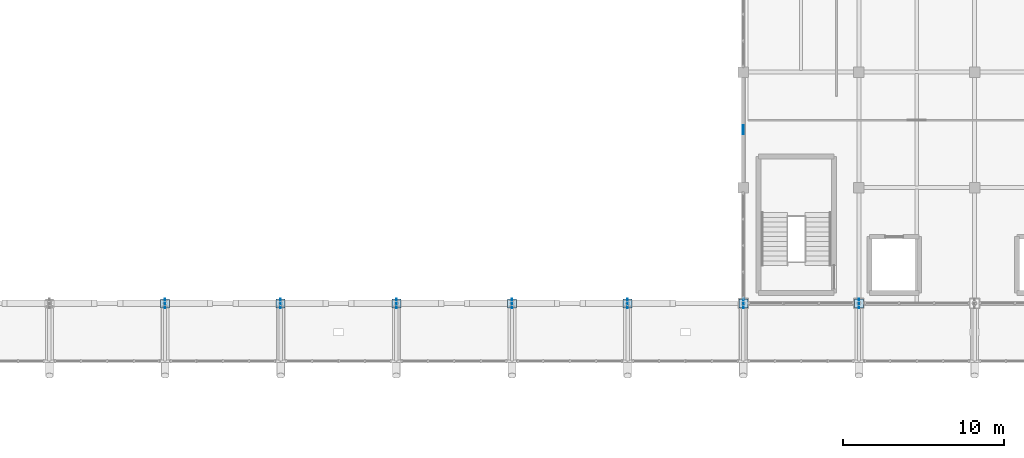
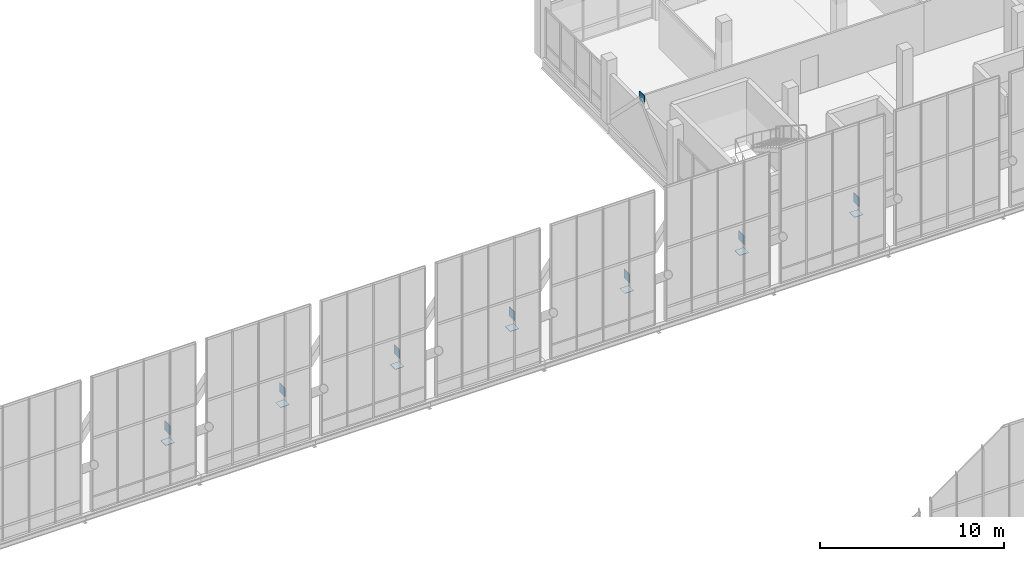
# One storey, part 88 of 102: 15 plates.
"""IFC4 building model written with IfcOpenShell, lengths in metres."""

import ifcopenshell
import ifcopenshell.guid

model = None  # the IFC model being written
_history = None  # IfcOwnerHistory: only IFC2X3 demands one
_inside = {}  # id of a spatial element -> (the spatial element, [elements in it])
_under = {}  # id of a project, library or spatial element -> (it, [spatial elements below it])
_declared = {}  # id of a project -> (the project, [libraries it declares])
_typed = {}  # id of a type object -> (the type object, [elements of that type])
_made_of = {}  # id of a material, layer set ... -> (it, [elements and type objects made of it])


def new_model(schema):
    """Start an empty IFC model of exactly this schema.

    Asked for "IFC4X3", IfcOpenShell would pick the latest addendum, in which some entities
    have other attributes; the version numbers below select the first issue.
    IFC2X3 requires an IfcOwnerHistory on every rooted entity: one is made here for all.
    """
    global model, _history
    if schema == "IFC4X3":
        model = ifcopenshell.file(schema_version=(4, 3, 0, 0))
    else:
        model = ifcopenshell.file(schema=schema)
    _inside.clear()
    _under.clear()
    _declared.clear()
    _typed.clear()
    _made_of.clear()
    _history = None
    if model.schema == "IFC2X3":
        org = make("IfcOrganization", Name="unknown")
        user = make(
            "IfcPersonAndOrganization",
            ThePerson=make("IfcPerson", FamilyName="unknown"),
            TheOrganization=org,
        )
        app = make(
            "IfcApplication",
            ApplicationDeveloper=org,
            Version="unknown",
            ApplicationFullName="unknown",
            ApplicationIdentifier="unknown",
        )
        _history = make(
            "IfcOwnerHistory",
            OwningUser=user,
            OwningApplication=app,
            ChangeAction="ADDED",
            CreationDate=0,
        )
    return model


def make(cls, **values):
    """One entity of the class cls with the attributes given. An attribute that is None is left unset."""
    return model.create_entity(
        cls, **{name: value for name, value in values.items() if value is not None}
    )


def rooted(cls, **values):
    """An entity with a GlobalId (a new one), such as an element, a storey or a relation."""
    return make(cls, GlobalId=ifcopenshell.guid.new(), OwnerHistory=_history, **values)


def si_unit(unit_type, name, prefix=None):
    """IfcSIUnit, for example si_unit("LENGTHUNIT", "METRE", prefix="MILLI")."""
    return make("IfcSIUnit", UnitType=unit_type, Prefix=prefix, Name=name)


def assignment(units):
    """IfcUnitAssignment: the units of a project."""
    return None if units is None else make("IfcUnitAssignment", Units=units)


def point(xyz):
    """IfcCartesianPoint."""
    return None if xyz is None else make("IfcCartesianPoint", Coordinates=xyz)


def direction(xyz):
    """IfcDirection."""
    return None if xyz is None else make("IfcDirection", DirectionRatios=xyz)


def frame(location, z_axis=None, x_axis=None):
    """IfcAxis2Placement3D, a coordinate frame: its origin and axes. An axis left out is left unset."""
    return make(
        "IfcAxis2Placement3D",
        Location=point(location),
        Axis=direction(z_axis),
        RefDirection=direction(x_axis),
    )


def frame_2d(location, x_axis=None):
    """IfcAxis2Placement2D, a coordinate frame in the plane: its origin and x axis."""
    return make(
        "IfcAxis2Placement2D", Location=point(location), RefDirection=direction(x_axis)
    )


def origin():
    """The frame at (0, 0, 0) with its axes left unset."""
    return frame((0.0, 0.0, 0.0))


def origin_2d():
    """The frame at (0, 0) in the plane with its x axis left unset."""
    return frame_2d((0.0, 0.0))


def place(relative_to, where):
    """IfcLocalPlacement: puts the frame where relative to a parent placement (None: the world)."""
    return make(
        "IfcLocalPlacement", PlacementRelTo=relative_to, RelativePlacement=where
    )


def context(
    kind, dimensions, precision=None, world=None, true_north=None, identifier=None
):
    """IfcGeometricRepresentationContext, for example the 3D "Model" context."""
    return make(
        "IfcGeometricRepresentationContext",
        ContextIdentifier=identifier,
        ContextType=kind,
        CoordinateSpaceDimension=dimensions,
        Precision=precision,
        WorldCoordinateSystem=world,
        TrueNorth=true_north,
    )


def subcontext(parent, identifier, kind, view, scale=None):
    """IfcGeometricRepresentationSubContext, for example "Body" below "Model"."""
    return make(
        "IfcGeometricRepresentationSubContext",
        ContextIdentifier=identifier,
        ContextType=kind,
        ParentContext=parent,
        TargetScale=scale,
        TargetView=view,
    )


def project(units=None, contexts=None):
    """IfcProject with its units and contexts."""
    return rooted(
        "IfcProject",
        Name="project",
        RepresentationContexts=contexts,
        UnitsInContext=assignment(units),
    )


def spatial(cls, under=None, at=None, **own):
    """A site, building, storey or space (cls), placed at a placement, below another one or the project."""
    s = rooted(cls, ObjectPlacement=at, **own)
    if under is not None:
        _under.setdefault(under.id(), (under, []))[1].append(s)
    return s


def profile(cls, at=None, kind="AREA", **sizes):
    """A parametric profile (cls). Its sizes go by their IFC names, for example OverallWidth=200.0."""
    return make(cls, ProfileType=kind, Position=at, **sizes)


def rectangle(**sizes):
    """IfcRectangleProfileDef."""
    return profile("IfcRectangleProfileDef", **sizes)


def extrude(swept, where, along, depth):
    """IfcExtrudedAreaSolid: the profile swept, set in the frame where, extruded along a direction by depth."""
    return make(
        "IfcExtrudedAreaSolid",
        SweptArea=swept,
        Position=where,
        ExtrudedDirection=direction(along),
        Depth=depth,
    )


def shape(context_of_items, identifier, shape_type, items):
    """IfcShapeRepresentation: the items that make up one representation, for example the "Body"."""
    return make(
        "IfcShapeRepresentation",
        ContextOfItems=context_of_items,
        RepresentationIdentifier=identifier,
        RepresentationType=shape_type,
        Items=items,
    )


def material(Name=None, Category=None):
    """IfcMaterial."""
    return make("IfcMaterial", Name=Name, Category=Category)


def layer(
    of_material, thickness, ventilated=None, Name=None, Category=None, Priority=None
):
    """IfcMaterialLayer: one layer of a wall or slab, of a material (None: an air gap)."""
    return make(
        "IfcMaterialLayer",
        Material=of_material,
        LayerThickness=thickness,
        IsVentilated=ventilated,
        Name=Name,
        Category=Category,
        Priority=Priority,
    )


def layer_set(layers, Name=None):
    """IfcMaterialLayerSet."""
    return make("IfcMaterialLayerSet", MaterialLayers=layers, LayerSetName=Name)


def made_of(thing, what):
    """Note that an element or type object is made of a material, layer set ...; save() writes the relation."""
    if what is not None:
        _made_of.setdefault(what.id(), (what, []))[1].append(thing)
    return thing


def type_object(cls, material=None, **own):
    """A type object (cls), such as IfcWallType, which elements share."""
    return made_of(rooted(cls, **own), material)


def element(
    cls,
    number,
    at=None,
    inside=None,
    cuts=None,
    type_object=None,
    material=None,
    context=None,
    identifier="Body",
    shape_type=None,
    held_by="IfcProductDefinitionShape",
    body=None,
    shapes=None,
    **own,
):
    """One element of the class cls, such as IfcWall. Its Tag is "e" and its number.

    at: its placement. inside: the storey or other place that contains it. cuts: it is an
    opening in that element (IfcRelVoidsElement). A single representation is given by context,
    identifier, shape_type and body (its items); several are given by shapes. held_by: the class
    of the entity that holds the representations. save() writes the other relations.
    """
    e = rooted(cls, Tag="e%d" % number, ObjectPlacement=at, **own)
    if body is not None:
        shapes = [shape(context, identifier, shape_type, body)]
    if shapes is not None:
        e.Representation = make(held_by, Representations=shapes)
    if inside is not None:
        _inside.setdefault(inside.id(), (inside, []))[1].append(e)
    if cuts is not None:
        rooted(
            "IfcRelVoidsElement", RelatingBuildingElement=cuts, RelatedOpeningElement=e
        )
    if type_object is not None:
        _typed.setdefault(type_object.id(), (type_object, []))[1].append(e)
    return made_of(e, material)


def aggregate(whole, parts):
    """IfcRelAggregates: a whole, such as a stair, and the parts it consists of."""
    return rooted("IfcRelAggregates", RelatingObject=whole, RelatedObjects=parts)


def save(model, path):
    """Write the relations noted so far, then the file.

    IfcRelAggregates (storeys below a building ...), IfcRelContainedInSpatialStructure (elements
    in a storey), IfcRelDefinesByType, IfcRelAssociatesMaterial and IfcRelDeclares: one each for
    every whole, place, type object, material and project.
    """
    for whole, parts in _under.values():
        aggregate(whole, parts)
    for where, things in _inside.values():
        rooted(
            "IfcRelContainedInSpatialStructure",
            RelatedElements=things,
            RelatingStructure=where,
        )
    for kind, things in _typed.values():
        rooted("IfcRelDefinesByType", RelatedObjects=things, RelatingType=kind)
    for what, things in _made_of.values():
        rooted("IfcRelAssociatesMaterial", RelatedObjects=things, RelatingMaterial=what)
    for by, libraries in _declared.values():
        rooted("IfcRelDeclares", RelatingContext=by, RelatedDefinitions=libraries)
    model.write(path)


model = new_model("IFC4")

# Units and contexts
model_context = context("Model", 3, precision=1e-05, world=origin(), true_north=direction((0.0, 1.0)))
body_context = subcontext(model_context, "Body", "Model", "MODEL_VIEW")
ifc_project = project(units=[si_unit("LENGTHUNIT", "METRE"), si_unit("AREAUNIT", "SQUARE_METRE"), si_unit("VOLUMEUNIT", "CUBIC_METRE"), si_unit("PLANEANGLEUNIT", "RADIAN"), si_unit("MASSUNIT", "GRAM", prefix="KILO")], contexts=[model_context])

# Site, building, storey
site_placement = place(None, origin())
site = spatial("IfcSite", under=ifc_project, at=site_placement, CompositionType="ELEMENT")
building_placement = place(site_placement, origin())
building = spatial("IfcBuilding", under=site, at=building_placement, Name="Yarey Park Central Fire Station", CompositionType="ELEMENT")
storey_placement = place(building_placement, frame((0.0, 0.0, 6.0)))
storey = spatial("IfcBuildingStorey", under=building, at=storey_placement, Name="L02", CompositionType="ELEMENT", Elevation=6.0)

# Plates
ifc_material = material(Name="Steel ASTM A572 Gr. 50", Category="steel")
ifc_layer_1 = layer(ifc_material, 0.02001953125)
ifc_layer_set_1 = layer_set([ifc_layer_1], Name="Steel ASTM A572 Gr. 50")
plate_type_1 = type_object("IfcPlateType", Name="STR_PLT_CAP1", PredefinedType="USERDEFINED", material=ifc_layer_set_1)
for number, where, z_axis, x_axis, name in (
    (1, (79.199951171875, 93.60009765625, -0.010009765625), (0.0, 0.0, 1.0), (1.0, 0.0, 0.0), "CAP_PLT_ART_062"),
    (2, (86.39990234375, 93.60009765625, -0.010009765625), (0.0, 0.0, 1.0), (1.0, 0.0, 0.0), "CAP_PLT_ART_067"),
    (3, (93.60009765625, 93.60009765625, -0.010009765625), (0.0, 0.0, 1.0), (1.0, 0.0, 0.0), "CAP_PLT_ART_072"),
    (4, (100.800048828125, 93.60009765625, -0.010009765625), (0.0, 0.0, 1.0), (1.0, 0.0, 0.0), "CAP_PLT_ART_077"),
    (5, (108.0, 93.60009765625, -0.010009765625), (0.0, 0.0, 1.0), (1.0, 0.0, 0.0), "CAP_PLT_ART_082"),
    (6, (115.199951171875, 93.60009765625, -0.010009765625), (0.0, 0.0, 1.0), (1.0, 0.0, 0.0), "CAP_PLT_ART_087"),
    (7, (122.39990234375, 93.60009765625, -0.010009765625), (0.0, 0.0, 1.0), (1.0, 0.0, 0.0), "CAP_PLT_ART_092"),
):
    element("IfcPlate", number, at=place(storey_placement, frame(where, z_axis=z_axis, x_axis=x_axis)), inside=storey, type_object=plate_type_1, Name=name, ObjectType="GUSSET_PLATE", PredefinedType="USERDEFINED", context=body_context, shape_type="SweptSolid", body=[
        extrude(rectangle(XDim=0.56005859375, YDim=0.56005859375, at=origin_2d()), origin(), (0.0, 0.0, 1.0), 0.02001953125),
    ])
ifc_layer_2 = layer(ifc_material, 0.030029296875)
ifc_layer_set_2 = layer_set([ifc_layer_2], Name="Steel ASTM A572 Gr. 50")
plate_type_2 = type_object("IfcPlateType", Name="STR_PLT_NODE1", PredefinedType="USERDEFINED", material=ifc_layer_set_2)
for number, where, z_axis, x_axis, name in (
    (8, (79.199951171875, 93.60009765625, 0.619873046875), (0.0, 0.0, 1.0), (1.0, 0.0, 0.0), "NODE_PLT_ART_061"),
    (9, (86.39990234375, 93.60009765625, 0.619873046875), (0.0, 0.0, 1.0), (1.0, 0.0, 0.0), "NODE_PLT_ART_066"),
    (10, (93.60009765625, 93.60009765625, 0.619873046875), (0.0, 0.0, 1.0), (1.0, 0.0, 0.0), "NODE_PLT_ART_071"),
    (11, (100.800048828125, 93.60009765625, 0.619873046875), (0.0, 0.0, 1.0), (1.0, 0.0, 0.0), "NODE_PLT_ART_076"),
    (12, (108.0, 93.60009765625, 0.619873046875), (0.0, 0.0, 1.0), (1.0, 0.0, 0.0), "NODE_PLT_ART_081"),
    (13, (115.199951171875, 93.60009765625, 0.619873046875), (0.0, 0.0, 1.0), (1.0, 0.0, 0.0), "NODE_PLT_ART_086"),
    (14, (122.39990234375, 93.60009765625, 0.619873046875), (0.0, 0.0, 1.0), (1.0, 0.0, 0.0), "NODE_PLT_ART_091"),
):
    element("IfcPlate", number, at=place(storey_placement, frame(where, z_axis=z_axis, x_axis=x_axis)), inside=storey, type_object=plate_type_2, Name=name, ObjectType="GUSSET_PLATE", PredefinedType="USERDEFINED", context=body_context, shape_type="SweptSolid", body=[
        extrude(rectangle(XDim=0.030029296875, YDim=0.60009765625, at=origin_2d()), origin(), (0.0, 0.0, 1.0), 0.60009765625),
    ])
ifc_layer_3 = layer(ifc_material, 0.052001953125)
ifc_layer_set_3 = layer_set([ifc_layer_3], Name="Steel ASTM A572 Gr. 50")
plate_type_3 = type_object("IfcPlateType", Name="STR_PLT_NODE3", PredefinedType="USERDEFINED", material=ifc_layer_set_3)
plate_placement = place(storey_placement, frame((115.199951171875, 104.39990234375, 3.375), z_axis=(0.0, 0.0, 1.0), x_axis=(1.0, 0.0, 0.0)))
element("IfcPlate", 15, at=plate_placement, inside=storey, type_object=plate_type_3, Name="NODE_PLT_V4_L02", ObjectType="GUSSET_PLATE", PredefinedType="USERDEFINED", context=body_context, shape_type="SweptSolid", body=[
    extrude(rectangle(XDim=0.052001953125, YDim=0.550048828125, at=origin_2d()), origin(), (0.0, 0.0, 1.0), 0.550048828125),
])

save(model, "model.ifc")
